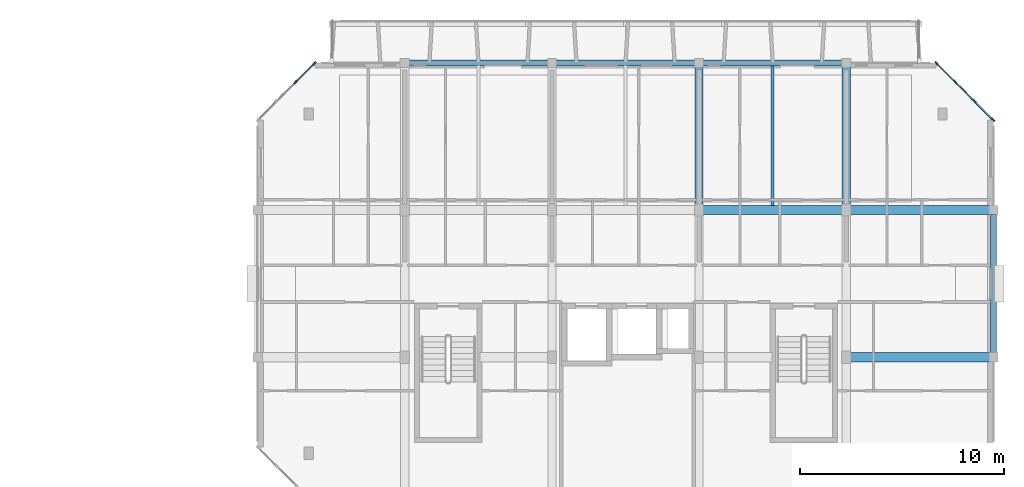
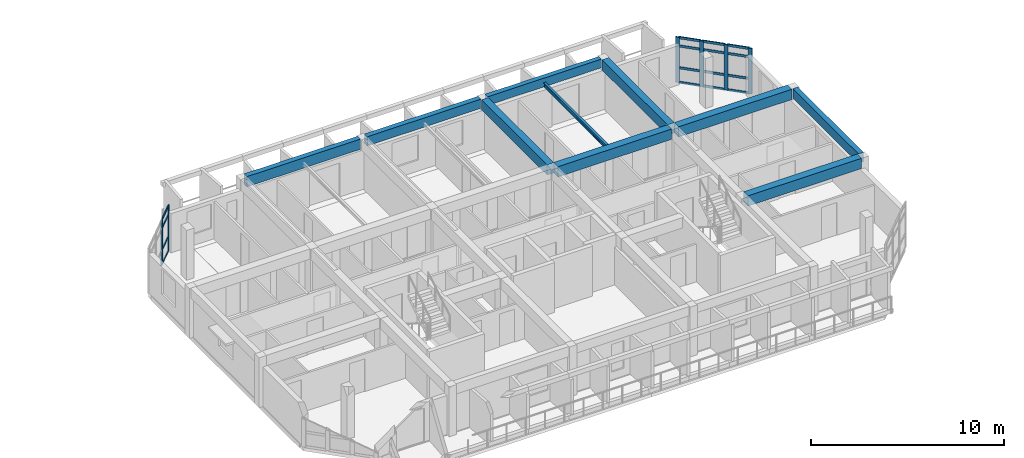
# One storey, part 13 of 43: 22 members, 10 beams, 2 elements without a shape of their own.
"""IFC4 building model written with IfcOpenShell, lengths in metres."""

from ifc_helpers import new_model, si_unit, direction, frame, origin, origin_2d, place, context, subcontext, project, spatial, rectangle, i_section, extrude, material, layer, layer_set, material_profile, profile_set, type_object, element, aggregate, save


model = new_model("IFC4")

# Units and contexts
model_context = context("Model", 3, precision=1e-05, world=origin(), true_north=direction((0.0, 1.0)))
body_context = subcontext(model_context, "Body", "Model", "MODEL_VIEW")
ifc_project = project(units=[si_unit("LENGTHUNIT", "METRE"), si_unit("AREAUNIT", "SQUARE_METRE"), si_unit("VOLUMEUNIT", "CUBIC_METRE"), si_unit("PLANEANGLEUNIT", "RADIAN"), si_unit("MASSUNIT", "GRAM", prefix="KILO")], contexts=[model_context])

# Site, building, storey
site_placement = place(None, origin())
site = spatial("IfcSite", under=ifc_project, at=site_placement, CompositionType="ELEMENT")
building_placement = place(site_placement, origin())
building = spatial("IfcBuilding", under=site, at=building_placement, Name="Ochrevale Crest", CompositionType="ELEMENT")
storey_placement = place(building_placement, frame((0.0, 0.0, 30.75)))
storey = spatial("IfcBuildingStorey", under=building, at=storey_placement, Name="L09", CompositionType="ELEMENT", Elevation=30.75)

# Beams
ifc_material_1 = material(Name="Precast concrete C50/60", Category="concrete")
ifc_material_profile_1 = material_profile(ifc_material_1, rectangle(XDim=0.39990234375, YDim=0.64990234375, at=origin_2d()), Name="PC 400x650")
ifc_profile_set_1 = profile_set([ifc_material_profile_1], Name="Precast concrete C50/60")
beam_type_1 = type_object("IfcBeamType", Name="BM-PC400x650", PredefinedType="BEAM", material=ifc_profile_set_1)
for number, where, z_axis, x_axis, name in (
    (1, (151.199951171875, 86.60498046875, 2.824951171875), (0.0, 1.0, 0.0), (-1.0, 0.0, 0.0), "Block D L09 N-S beam X=151.2"),
    (2, (158.39990234375, 86.60498046875, 2.824951171875), (0.0, 1.0, 0.0), (-1.0, 0.0, 0.0), "Block D L09 N-S beam X=158.4"),
):
    element("IfcBeam", number, at=place(storey_placement, frame(where, z_axis=z_axis, x_axis=x_axis)), inside=storey, type_object=beam_type_1, Name=name, PredefinedType="BEAM", context=body_context, shape_type="SweptSolid", body=[
        extrude(rectangle(XDim=0.39990234375, YDim=0.64990234375, at=origin_2d()), origin(), (0.0, 0.0, 1.0), 6.7900390625),
    ])
ifc_material_2 = material(Name="Concrete C50/60", Category="concrete")
ifc_material_profile_2 = material_profile(ifc_material_2, rectangle(XDim=0.449951171875, YDim=0.64990234375, at=origin_2d()), Name="RC 450x650")
ifc_profile_set_2 = profile_set([ifc_material_profile_2], Name="Concrete C50/60")
beam_type_2 = type_object("IfcBeamType", Name="BM-PG450x650", PredefinedType="USERDEFINED", material=ifc_profile_set_2)
beam_1_placement = place(storey_placement, frame((158.60009765625, 79.199951171875, 2.824951171875), z_axis=(1.0, 0.0, 0.0), x_axis=(0.0, 1.0, 0.0)))
element("IfcBeam", 3, at=beam_1_placement, inside=storey, type_object=beam_type_2, Name="Block D L09 E-W beam Y=79.2", ObjectType="GIRDER", PredefinedType="USERDEFINED", context=body_context, shape_type="SweptSolid", body=[
    extrude(rectangle(XDim=0.449951171875, YDim=0.64990234375, at=origin_2d()), origin(), (0.0, 0.0, 1.0), 6.7998046875),
])
beam_2_placement = place(storey_placement, frame((151.39990234375, 86.39990234375, 2.824951171875), z_axis=(1.0, 0.0, 0.0), x_axis=(0.0, 1.0, 0.0)))
element("IfcBeam", 4, at=beam_2_placement, inside=storey, type_object=beam_type_2, Name="Block D L09 E-W beam Y=86.4", ObjectType="GIRDER", PredefinedType="USERDEFINED", context=body_context, shape_type="SweptSolid", body=[
    extrude(rectangle(XDim=0.449951171875, YDim=0.64990234375, at=origin_2d()), origin(), (0.0, 0.0, 1.0), 6.800048828125),
])
beam_3_placement = place(storey_placement, frame((158.60009765625, 86.39990234375, 2.824951171875), z_axis=(1.0, 0.0, 0.0), x_axis=(0.0, 1.0, 0.0)))
element("IfcBeam", 5, at=beam_3_placement, inside=storey, type_object=beam_type_2, Name="Block D L09 E-W beam Y=86.4", ObjectType="GIRDER", PredefinedType="USERDEFINED", context=body_context, shape_type="SweptSolid", body=[
    extrude(rectangle(XDim=0.449951171875, YDim=0.64990234375, at=origin_2d()), origin(), (0.0, 0.0, 1.0), 6.7998046875),
])
ifc_material_3 = material(Name="Precast concrete C40/50", Category="concrete")
ifc_material_profile_3 = material_profile(ifc_material_3, rectangle(XDim=0.280029296875, YDim=0.550048828125, at=origin_2d()), Name="PC 280x550")
ifc_profile_set_3 = profile_set([ifc_material_profile_3], Name="Precast concrete C40/50")
beam_type_3 = type_object("IfcBeamType", Name="BM-SP280x550", PredefinedType="SPANDREL", material=ifc_profile_set_3)
beam_4_placement = place(storey_placement, frame((151.39990234375, 93.60009765625, 2.875), z_axis=(1.0, 0.0, 0.0), x_axis=(0.0, 1.0, 0.0)))
element("IfcBeam", 6, at=beam_4_placement, inside=storey, type_object=beam_type_3, Name="Block D L09 E-W beam Y=93.6", PredefinedType="SPANDREL", context=body_context, shape_type="SweptSolid", body=[
    extrude(rectangle(XDim=0.280029296875, YDim=0.550048828125, at=origin_2d()), origin(), (0.0, 0.0, 1.0), 6.800048828125),
])
ifc_material_profile_4 = material_profile(ifc_material_3, rectangle(XDim=0.300048828125, YDim=0.580078125, at=origin_2d()), Name="PC 300x580")
ifc_profile_set_4 = profile_set([ifc_material_profile_4], Name="Precast concrete C40/50")
beam_type_4 = type_object("IfcBeamType", Name="BM-SP300x580", PredefinedType="SPANDREL", material=ifc_profile_set_4)
beam_5_placement = place(storey_placement, frame((144.199951171875, 93.60009765625, 2.860107421875), z_axis=(1.0, 0.0, 0.0), x_axis=(0.0, 1.0, 0.0)))
element("IfcBeam", 7, at=beam_5_placement, inside=storey, type_object=beam_type_4, Name="Block D L09 E-W beam Y=93.6", PredefinedType="SPANDREL", context=body_context, shape_type="SweptSolid", body=[
    extrude(rectangle(XDim=0.300048828125, YDim=0.580078125, at=origin_2d()), origin(), (0.0, 0.0, 1.0), 6.800048828125),
])
ifc_material_profile_5 = material_profile(ifc_material_3, rectangle(XDim=0.300048828125, YDim=0.60009765625, at=origin_2d()), Name="PC 300x600")
ifc_profile_set_5 = profile_set([ifc_material_profile_5], Name="Precast concrete C40/50")
beam_type_5 = type_object("IfcBeamType", Name="BM-SP300x600", PredefinedType="SPANDREL", material=ifc_profile_set_5)
beam_6_placement = place(storey_placement, frame((165.60009765625, 79.405029296875, 2.85009765625), z_axis=(0.0, 1.0, 0.0), x_axis=(-1.0, 0.0, 0.0)))
element("IfcBeam", 8, at=beam_6_placement, inside=storey, type_object=beam_type_5, Name="Block D L09 N-S beam X=165.6", PredefinedType="SPANDREL", context=body_context, shape_type="SweptSolid", body=[
    extrude(rectangle(XDim=0.300048828125, YDim=0.60009765625, at=origin_2d()), origin(), (0.0, 0.0, 1.0), 6.7900390625),
])
ifc_material_profile_6 = material_profile(ifc_material_3, rectangle(XDim=0.300048828125, YDim=0.64990234375, at=origin_2d()), Name="PC 300x650")
ifc_profile_set_6 = profile_set([ifc_material_profile_6], Name="Precast concrete C40/50")
beam_type_6 = type_object("IfcBeamType", Name="BM-SP300x650", PredefinedType="SPANDREL", material=ifc_profile_set_6)
beam_7_placement = place(storey_placement, frame((137.0, 93.60009765625, 2.824951171875), z_axis=(1.0, 0.0, 0.0), x_axis=(0.0, 1.0, 0.0)))
element("IfcBeam", 9, at=beam_7_placement, inside=storey, type_object=beam_type_6, Name="Block D L09 E-W beam Y=93.6", PredefinedType="SPANDREL", context=body_context, shape_type="SweptSolid", body=[
    extrude(rectangle(XDim=0.300048828125, YDim=0.64990234375, at=origin_2d()), origin(), (0.0, 0.0, 1.0), 6.800048828125),
])
ifc_material_4 = material(Name="Steel S355", Category="steel")
ifc_material_profile_7 = material_profile(ifc_material_4, i_section(OverallWidth=0.14599609375, OverallDepth=0.251708984375, WebThickness=0.006103515625, FlangeThickness=0.008544921875, FilletRadius=0.0087890625, at=origin_2d()), Name="250UB31.4")
ifc_profile_set_7 = profile_set([ifc_material_profile_7], Name="Steel S355")
beam_type_7 = type_object("IfcBeamType", Name="BM-UB250A", PredefinedType="JOIST", material=ifc_profile_set_7)
beam_8_placement = place(storey_placement, frame((154.800048828125, 86.613037109375, 2.749267578125), z_axis=(0.0, 1.0, 0.0), x_axis=(-1.0, 0.0, 0.0)))
element("IfcBeam", 10, at=beam_8_placement, inside=storey, type_object=beam_type_7, Name="Block D L09 composite plank trimmer beam 4", PredefinedType="JOIST", context=body_context, shape_type="SweptSolid", body=[
    extrude(i_section(OverallWidth=0.14599609375, OverallDepth=0.251708984375, WebThickness=0.006103515625, FlangeThickness=0.008544921875, FilletRadius=0.0087890625, at=origin_2d()), origin(), (0.0, 0.0, 1.0), 6.85888671875),
])

# Curtain wall, members
ifc_material_5 = material(Name="Anodised aluminium 6063-T5", Category="aluminium")
ifc_layer_1 = layer(ifc_material_5, 0.14990234375)
ifc_layer_set_1 = layer_set([ifc_layer_1], Name="Anodised aluminium 6063-T5")
curtain_wall_type_1 = type_object("IfcCurtainWallType", Name="CW-WG-360x285", PredefinedType="NOTDEFINED", material=ifc_layer_set_1)
curtain_wall_1_placement = place(storey_placement, origin())
curtain_wall_1 = element("IfcCurtainWall", 11, at=curtain_wall_1_placement, inside=storey, type_object=curtain_wall_type_1, Name="Block D L09 chamfered corner wintergarden curtain wall 4", PredefinedType="NOTDEFINED")
ifc_material_profile_8 = material_profile(ifc_material_5, rectangle(XDim=0.074951171875, YDim=0.219970703125, at=origin_2d()), Name="ALU 75x220")
ifc_profile_set_8 = profile_set([ifc_material_profile_8], Name="Anodised aluminium 6063-T5")
member_type_1 = type_object("IfcMemberType", Name="CW-MUL-75x220", PredefinedType="MULLION", material=ifc_profile_set_8)
member_1_placement = place(storey_placement, frame((165.573486328125, 90.826416015625, 0.0), z_axis=(0.0, 0.0, 1.0), x_axis=(-0.707106781187, -0.707106781187, 0.0)))
member_1 = element("IfcMember", 12, at=member_1_placement, type_object=member_type_1, Name="CW18 mullion 1", PredefinedType="MULLION", context=body_context, shape_type="SweptSolid", body=[
    extrude(rectangle(XDim=0.074951171875, YDim=0.219970703125, at=origin_2d()), origin(), (0.0, 0.0, 1.0), 2.875),
])
member_2_placement = place(storey_placement, frame((164.666748046875, 91.7333984375, 0.0), z_axis=(0.0, 0.0, 1.0), x_axis=(-0.707106781187, -0.707106781187, 0.0)))
member_2 = element("IfcMember", 13, at=member_2_placement, type_object=member_type_1, Name="CW18 mullion 2", PredefinedType="MULLION", context=body_context, shape_type="SweptSolid", body=[
    extrude(rectangle(XDim=0.074951171875, YDim=0.219970703125, at=origin_2d()), origin(), (0.0, 0.0, 1.0), 2.875),
])
member_3_placement = place(storey_placement, frame((163.7333984375, 92.666748046875, 0.0), z_axis=(0.0, 0.0, 1.0), x_axis=(-0.707106781187, -0.707106781187, 0.0)))
member_3 = element("IfcMember", 14, at=member_3_placement, type_object=member_type_1, Name="CW18 mullion 3", PredefinedType="MULLION", context=body_context, shape_type="SweptSolid", body=[
    extrude(rectangle(XDim=0.074951171875, YDim=0.219970703125, at=origin_2d()), origin(), (0.0, 0.0, 1.0), 2.875),
])
member_4_placement = place(storey_placement, frame((162.826416015625, 93.573486328125, 0.0), z_axis=(0.0, 0.0, 1.0), x_axis=(-0.707106781187, -0.707106781187, 0.0)))
member_4 = element("IfcMember", 15, at=member_4_placement, type_object=member_type_1, Name="CW18 mullion 4", PredefinedType="MULLION", context=body_context, shape_type="SweptSolid", body=[
    extrude(rectangle(XDim=0.074951171875, YDim=0.219970703125, at=origin_2d()), origin(), (0.0, 0.0, 1.0), 2.875),
])

ifc_layer_2 = layer(ifc_material_5, 0.14990234375)
ifc_layer_set_2 = layer_set([ifc_layer_2], Name="Anodised aluminium 6063-T5")
curtain_wall_type_2 = type_object("IfcCurtainWallType", Name="CW-WG-240x285", PredefinedType="NOTDEFINED", material=ifc_layer_set_2)
curtain_wall_2_placement = place(storey_placement, origin())
curtain_wall_2 = element("IfcCurtainWall", 16, at=curtain_wall_2_placement, inside=storey, type_object=curtain_wall_type_2, Name="Block D L09 chamfered corner wintergarden curtain wall 6", PredefinedType="NOTDEFINED")
member_5_placement = place(storey_placement, frame((132.37353515625, 93.573486328125, 0.0), z_axis=(0.0, 0.0, 1.0), x_axis=(0.707106781187, -0.707106781187, 0.0)))
member_5 = element("IfcMember", 17, at=member_5_placement, type_object=member_type_1, Name="CW15 mullion 1", PredefinedType="MULLION", context=body_context, shape_type="SweptSolid", body=[
    extrude(rectangle(XDim=0.074951171875, YDim=0.219970703125, at=origin_2d()), origin(), (0.0, 0.0, 1.0), 2.875),
])
member_6_placement = place(storey_placement, frame((131.466552734375, 92.666748046875, 0.0), z_axis=(0.0, 0.0, 1.0), x_axis=(0.707106781187, -0.707106781187, 0.0)))
member_6 = element("IfcMember", 18, at=member_6_placement, type_object=member_type_1, Name="CW15 mullion 2", PredefinedType="MULLION", context=body_context, shape_type="SweptSolid", body=[
    extrude(rectangle(XDim=0.074951171875, YDim=0.219970703125, at=origin_2d()), origin(), (0.0, 0.0, 1.0), 2.875),
])

# Member
ifc_material_profile_9 = material_profile(ifc_material_5, rectangle(XDim=0.06005859375, YDim=0.14990234375, at=origin_2d()), Name="ALU 60x150")
ifc_profile_set_9 = profile_set([ifc_material_profile_9], Name="Anodised aluminium 6063-T5")
member_type_2 = type_object("IfcMemberType", Name="CW-TRN-60x150", PredefinedType="USERDEFINED", material=ifc_profile_set_9)
member_7_placement = place(storey_placement, frame((165.546875, 90.85302734375, 0.030029296875), z_axis=(-0.707106781187, 0.707106781187, 0.0), x_axis=(-0.707106781187, -0.707106781187, 0.0)))
member_7 = element("IfcMember", 19, at=member_7_placement, type_object=member_type_2, Name="CW18 transom 1.1", ObjectType="TRANSOM", PredefinedType="USERDEFINED", context=body_context, shape_type="SweptSolid", body=[
    extrude(rectangle(XDim=0.06005859375, YDim=0.14990234375, at=origin_2d()), origin(), (0.0, 0.0, 1.0), 1.20751953125),
])

member_8_placement = place(storey_placement, frame((165.546875, 90.85302734375, 0.949951171875), z_axis=(-0.707106781187, 0.707106781187, 0.0), x_axis=(-0.707106781187, -0.707106781187, 0.0)))
member_8 = element("IfcMember", 20, at=member_8_placement, type_object=member_type_2, Name="CW18 transom 1.2", ObjectType="TRANSOM", PredefinedType="USERDEFINED", context=body_context, shape_type="SweptSolid", body=[
    extrude(rectangle(XDim=0.06005859375, YDim=0.14990234375, at=origin_2d()), origin(), (0.0, 0.0, 1.0), 1.20751953125),
])

member_9_placement = place(storey_placement, frame((165.546875, 90.85302734375, 2.324951171875), z_axis=(-0.707106781187, 0.707106781187, 0.0), x_axis=(-0.707106781187, -0.707106781187, 0.0)))
member_9 = element("IfcMember", 21, at=member_9_placement, type_object=member_type_2, Name="CW18 transom 1.3", ObjectType="TRANSOM", PredefinedType="USERDEFINED", context=body_context, shape_type="SweptSolid", body=[
    extrude(rectangle(XDim=0.06005859375, YDim=0.14990234375, at=origin_2d()), origin(), (0.0, 0.0, 1.0), 1.20751953125),
])

member_10_placement = place(storey_placement, frame((165.546875, 90.85302734375, 2.844970703125), z_axis=(-0.707106781187, 0.707106781187, 0.0), x_axis=(-0.707106781187, -0.707106781187, 0.0)))
member_10 = element("IfcMember", 22, at=member_10_placement, type_object=member_type_2, Name="CW18 transom 1.4", ObjectType="TRANSOM", PredefinedType="USERDEFINED", context=body_context, shape_type="SweptSolid", body=[
    extrude(rectangle(XDim=0.06005859375, YDim=0.14990234375, at=origin_2d()), origin(), (0.0, 0.0, 1.0), 1.20751953125),
])

member_11_placement = place(storey_placement, frame((164.64013671875, 91.759765625, 0.030029296875), z_axis=(-0.707106781187, 0.707106781187, 0.0), x_axis=(-0.707106781187, -0.707106781187, 0.0)))
member_11 = element("IfcMember", 23, at=member_11_placement, type_object=member_type_2, Name="CW18 transom 2.1", ObjectType="TRANSOM", PredefinedType="USERDEFINED", context=body_context, shape_type="SweptSolid", body=[
    extrude(rectangle(XDim=0.06005859375, YDim=0.14990234375, at=origin_2d()), origin(), (0.0, 0.0, 1.0), 1.2451171875),
])

member_12_placement = place(storey_placement, frame((164.64013671875, 91.759765625, 0.949951171875), z_axis=(-0.707106781187, 0.707106781187, 0.0), x_axis=(-0.707106781187, -0.707106781187, 0.0)))
member_12 = element("IfcMember", 24, at=member_12_placement, type_object=member_type_2, Name="CW18 transom 2.2", ObjectType="TRANSOM", PredefinedType="USERDEFINED", context=body_context, shape_type="SweptSolid", body=[
    extrude(rectangle(XDim=0.06005859375, YDim=0.14990234375, at=origin_2d()), origin(), (0.0, 0.0, 1.0), 1.2451171875),
])

member_13_placement = place(storey_placement, frame((164.64013671875, 91.759765625, 2.324951171875), z_axis=(-0.707106781187, 0.707106781187, 0.0), x_axis=(-0.707106781187, -0.707106781187, 0.0)))
member_13 = element("IfcMember", 25, at=member_13_placement, type_object=member_type_2, Name="CW18 transom 2.3", ObjectType="TRANSOM", PredefinedType="USERDEFINED", context=body_context, shape_type="SweptSolid", body=[
    extrude(rectangle(XDim=0.06005859375, YDim=0.14990234375, at=origin_2d()), origin(), (0.0, 0.0, 1.0), 1.2451171875),
])

member_14_placement = place(storey_placement, frame((164.64013671875, 91.759765625, 2.844970703125), z_axis=(-0.707106781187, 0.707106781187, 0.0), x_axis=(-0.707106781187, -0.707106781187, 0.0)))
member_14 = element("IfcMember", 26, at=member_14_placement, type_object=member_type_2, Name="CW18 transom 2.4", ObjectType="TRANSOM", PredefinedType="USERDEFINED", context=body_context, shape_type="SweptSolid", body=[
    extrude(rectangle(XDim=0.06005859375, YDim=0.14990234375, at=origin_2d()), origin(), (0.0, 0.0, 1.0), 1.2451171875),
])

member_15_placement = place(storey_placement, frame((163.706787109375, 92.693115234375, 0.030029296875), z_axis=(-0.707106781187, 0.707106781187, 0.0), x_axis=(-0.707106781187, -0.707106781187, 0.0)))
member_15 = element("IfcMember", 27, at=member_15_placement, type_object=member_type_2, Name="CW18 transom 3.1", ObjectType="TRANSOM", PredefinedType="USERDEFINED", context=body_context, shape_type="SweptSolid", body=[
    extrude(rectangle(XDim=0.06005859375, YDim=0.14990234375, at=origin_2d()), origin(), (0.0, 0.0, 1.0), 1.20751953125),
])

member_16_placement = place(storey_placement, frame((163.706787109375, 92.693115234375, 0.949951171875), z_axis=(-0.707106781187, 0.707106781187, 0.0), x_axis=(-0.707106781187, -0.707106781187, 0.0)))
member_16 = element("IfcMember", 28, at=member_16_placement, type_object=member_type_2, Name="CW18 transom 3.2", ObjectType="TRANSOM", PredefinedType="USERDEFINED", context=body_context, shape_type="SweptSolid", body=[
    extrude(rectangle(XDim=0.06005859375, YDim=0.14990234375, at=origin_2d()), origin(), (0.0, 0.0, 1.0), 1.20751953125),
])

member_17_placement = place(storey_placement, frame((163.706787109375, 92.693115234375, 2.324951171875), z_axis=(-0.707106781187, 0.707106781187, 0.0), x_axis=(-0.707106781187, -0.707106781187, 0.0)))
member_17 = element("IfcMember", 29, at=member_17_placement, type_object=member_type_2, Name="CW18 transom 3.3", ObjectType="TRANSOM", PredefinedType="USERDEFINED", context=body_context, shape_type="SweptSolid", body=[
    extrude(rectangle(XDim=0.06005859375, YDim=0.14990234375, at=origin_2d()), origin(), (0.0, 0.0, 1.0), 1.20751953125),
])

member_18_placement = place(storey_placement, frame((163.706787109375, 92.693115234375, 2.844970703125), z_axis=(-0.707106781187, 0.707106781187, 0.0), x_axis=(-0.707106781187, -0.707106781187, 0.0)))
member_18 = element("IfcMember", 30, at=member_18_placement, type_object=member_type_2, Name="CW18 transom 3.4", ObjectType="TRANSOM", PredefinedType="USERDEFINED", context=body_context, shape_type="SweptSolid", body=[
    extrude(rectangle(XDim=0.06005859375, YDim=0.14990234375, at=origin_2d()), origin(), (0.0, 0.0, 1.0), 1.20751953125),
])

aggregate(curtain_wall_1, [member_1, member_2, member_3, member_4, member_7, member_8, member_9, member_10, member_11, member_12, member_13, member_14, member_15, member_16, member_17, member_18])

member_19_placement = place(storey_placement, frame((132.346923828125, 93.546875, 0.030029296875), z_axis=(-0.707106781187, -0.707106781187, 0.0), x_axis=(0.707106781187, -0.707106781187, 0.0)))
member_19 = element("IfcMember", 31, at=member_19_placement, type_object=member_type_2, Name="CW15 transom 1.1", ObjectType="TRANSOM", PredefinedType="USERDEFINED", context=body_context, shape_type="SweptSolid", body=[
    extrude(rectangle(XDim=0.06005859375, YDim=0.14990234375, at=origin_2d()), origin(), (0.0, 0.0, 1.0), 1.20751953125),
])

member_20_placement = place(storey_placement, frame((132.346923828125, 93.546875, 0.949951171875), z_axis=(-0.707106781187, -0.707106781187, 0.0), x_axis=(0.707106781187, -0.707106781187, 0.0)))
member_20 = element("IfcMember", 32, at=member_20_placement, type_object=member_type_2, Name="CW15 transom 1.2", ObjectType="TRANSOM", PredefinedType="USERDEFINED", context=body_context, shape_type="SweptSolid", body=[
    extrude(rectangle(XDim=0.06005859375, YDim=0.14990234375, at=origin_2d()), origin(), (0.0, 0.0, 1.0), 1.20751953125),
])

member_21_placement = place(storey_placement, frame((132.346923828125, 93.546875, 2.324951171875), z_axis=(-0.707106781187, -0.707106781187, 0.0), x_axis=(0.707106781187, -0.707106781187, 0.0)))
member_21 = element("IfcMember", 33, at=member_21_placement, type_object=member_type_2, Name="CW15 transom 1.3", ObjectType="TRANSOM", PredefinedType="USERDEFINED", context=body_context, shape_type="SweptSolid", body=[
    extrude(rectangle(XDim=0.06005859375, YDim=0.14990234375, at=origin_2d()), origin(), (0.0, 0.0, 1.0), 1.20751953125),
])

member_22_placement = place(storey_placement, frame((132.346923828125, 93.546875, 2.844970703125), z_axis=(-0.707106781187, -0.707106781187, 0.0), x_axis=(0.707106781187, -0.707106781187, 0.0)))
member_22 = element("IfcMember", 34, at=member_22_placement, type_object=member_type_2, Name="CW15 transom 1.4", ObjectType="TRANSOM", PredefinedType="USERDEFINED", context=body_context, shape_type="SweptSolid", body=[
    extrude(rectangle(XDim=0.06005859375, YDim=0.14990234375, at=origin_2d()), origin(), (0.0, 0.0, 1.0), 1.20751953125),
])

aggregate(curtain_wall_2, [member_5, member_6, member_19, member_20, member_21, member_22])

save(model, "model.ifc")
